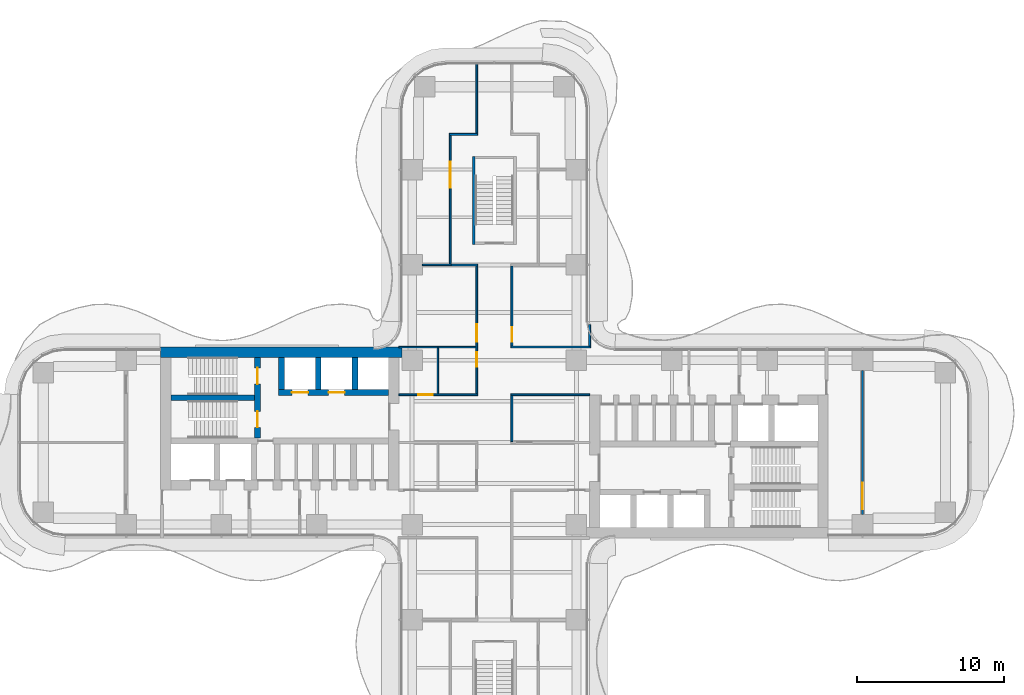
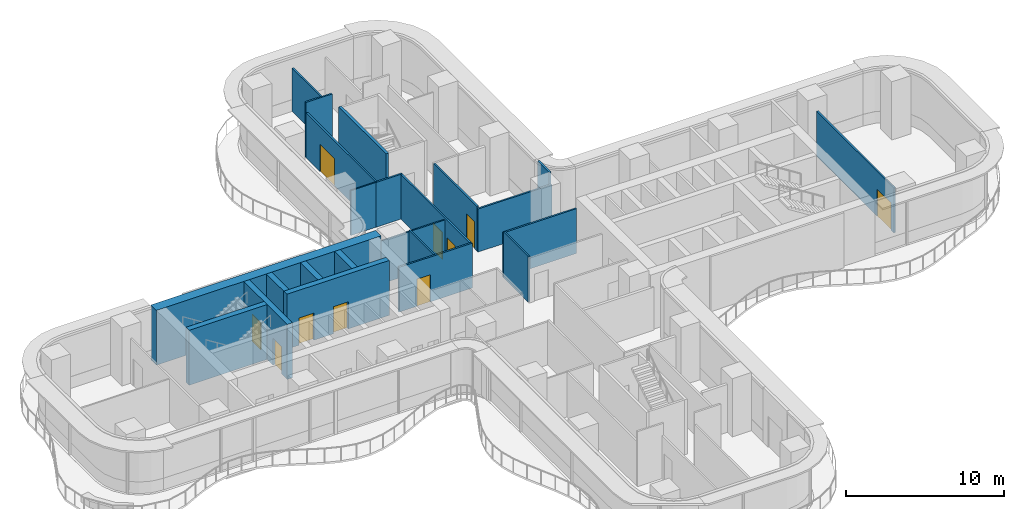
# One storey, part 19 of 23: 23 walls, 10 doors, 10 openings.
"""IFC4 building model written with IfcOpenShell, lengths in metres."""

from ifc_helpers import new_model, si_unit, direction, frame, frame_2d, origin, place, context, subcontext, project, spatial, rectangle, extrude, source, transform, mapped, material, layer, layer_set, type_object, element, fill, save


model = new_model("IFC4")

# Units and contexts
model_context = context("Model", 3, precision=1e-05, world=origin(), true_north=direction((0.0, 1.0)))
body_context = subcontext(model_context, "Body", "Model", "MODEL_VIEW")
ifc_project = project(units=[si_unit("LENGTHUNIT", "METRE"), si_unit("AREAUNIT", "SQUARE_METRE"), si_unit("VOLUMEUNIT", "CUBIC_METRE"), si_unit("PLANEANGLEUNIT", "RADIAN"), si_unit("MASSUNIT", "GRAM", prefix="KILO")], contexts=[model_context])

# Site, building, storey
site_placement = place(None, origin())
site = spatial("IfcSite", under=ifc_project, at=site_placement, CompositionType="ELEMENT")
building_placement = place(site_placement, origin())
building = spatial("IfcBuilding", under=site, at=building_placement, Name="Trellis Farm Tower", CompositionType="ELEMENT")
storey_placement = place(building_placement, frame((0.0, 0.0, 74.5)))
storey = spatial("IfcBuildingStorey", under=building, at=storey_placement, Name="L15", CompositionType="ELEMENT", Elevation=74.5)

# Walls
ifc_material_1 = material(Name="Concrete C80/95", Category="concrete")
ifc_layer_1 = layer(ifc_material_1, 0.39990234375)
ifc_layer_set_1 = layer_set([ifc_layer_1], Name="CORE INNER WALL 400 CONCRETE C80/95")
wall_type_1 = type_object("IfcWallType", Name="CORE INNER WALL 400 CONCRETE C80/95", PredefinedType="SHEAR", material=ifc_layer_set_1)
shared_shape_1 = source(origin(), body_context, "Body", "SweptSolid", [
    extrude(rectangle(XDim=2.199951171875, YDim=0.39990234375, at=frame_2d((1.10009765625, 0.0))), origin(), (0.0, 0.0, 1.0), 4.25),
])
for number, where, z_axis, x_axis, name in (
    (1, (-9.5, 5.800048828125, 0.0), (0.0, 0.0, 1.0), (0.0, -1.0, 0.0), "Core wall"),
    (2, (-12.0, 5.800048828125, 0.0), (0.0, 0.0, 1.0), (0.0, -1.0, 0.0), "Core wall"),
    (3, (-14.5, 5.800048828125, 0.0), (0.0, 0.0, 1.0), (0.0, -1.0, 0.0), "Core wall"),
):
    element("IfcWall", number, at=place(storey_placement, frame(where, z_axis=z_axis, x_axis=x_axis)), inside=storey, type_object=wall_type_1, Name=name, PredefinedType="SHEAR", context=body_context, shape_type="MappedRepresentation", body=[
        mapped(shared_shape_1, transform((0.0, 0.0, 0.0))),
    ])
ifc_layer_2 = layer(ifc_material_1, 0.699951171875)
ifc_layer_set_2 = layer_set([ifc_layer_2], Name="CORE OUTER WALL 700 CONCRETE C80/95")
wall_type_2 = type_object("IfcWallType", Name="CORE OUTER WALL 700 CONCRETE C80/95", PredefinedType="SHEAR", material=ifc_layer_set_2)
shared_shape_2 = source(origin(), body_context, "Body", "SweptSolid", [
    extrude(rectangle(XDim=16.449951171875, YDim=0.699951171875, at=frame_2d((8.22509765625, 0.0))), origin(), (0.0, 0.0, 1.0), 4.25),
])
wall_1_placement = place(storey_placement, frame((-6.300048828125, 6.14990234375, 0.0), z_axis=(0.0, 0.0, 1.0), x_axis=(-1.0, 0.0, 0.0)))
element("IfcWall", 4, at=wall_1_placement, inside=storey, type_object=wall_type_2, Name="Core wall", PredefinedType="SHEAR", context=body_context, shape_type="MappedRepresentation", body=[
    mapped(shared_shape_2, transform((0.0, 0.0, 0.0))),
])

# Wall, openings, doors
shared_shape_3 = source(origin(), body_context, "Body", "SweptSolid", [
    extrude(rectangle(XDim=7.5, YDim=0.39990234375, at=frame_2d((3.75, 0.0))), origin(), (0.0, 0.0, 1.0), 4.25),
])
wall_2_placement = place(storey_placement, frame((-7.199951171875, 3.39990234375, 0.0), z_axis=(0.0, 0.0, 1.0), x_axis=(-1.0, 0.0, 0.0)))
wall_2 = element("IfcWall", 5, at=wall_2_placement, inside=storey, type_object=wall_type_1, Name="Core wall", PredefinedType="SHEAR", context=body_context, shape_type="MappedRepresentation", body=[
    mapped(shared_shape_3, transform((0.0, 0.0, 0.0))),
])
shared_shape_4 = source(origin(), body_context, "Body", "SweptSolid", [
    extrude(rectangle(XDim=1.10009765625, YDim=2.10009765625, at=frame_2d((0.550048828125, 1.050048828125))), frame((0.0, 0.2099609375, 0.0), z_axis=(0.0, -1.0, 0.0), x_axis=(1.0, 0.0, 0.0)), (0.0, 0.0, 1.0), 0.419921875),
])
opening_1_placement = place(wall_2_placement, frame((3.0, 0.0, 0.0)))
opening_1 = element("IfcOpeningElement", 6, at=opening_1_placement, cuts=wall_2, Name="Opening LD10", PredefinedType="OPENING", context=body_context, shape_type="MappedRepresentation", body=[
    mapped(shared_shape_4, transform((0.0, 0.0, 0.0))),
])
opening_2_placement = place(wall_2_placement, frame((5.5, 0.0, 0.0)))
opening_2 = element("IfcOpeningElement", 7, at=opening_2_placement, cuts=wall_2, Name="Opening LD11", PredefinedType="OPENING", context=body_context, shape_type="MappedRepresentation", body=[
    mapped(shared_shape_4, transform((0.0, 0.0, 0.0))),
])
ifc_material_2 = material(Name="Stainless steel", Category="steel")
door_type_1 = type_object("IfcDoorType", Name="LIFT LANDING DOOR 1100 X 2100", OperationType="DOUBLE_DOOR_SLIDING", PredefinedType="DOOR", material=ifc_material_2)
shared_shape_5 = source(origin(), body_context, "Body", "SweptSolid", [
    extrude(rectangle(XDim=1.10009765625, YDim=2.10009765625, at=frame_2d((0.550048828125, 1.050048828125))), frame((0.0, 0.02490234375, 0.0), z_axis=(0.0, -1.0, 0.0), x_axis=(1.0, 0.0, 0.0)), (0.0, 0.0, 1.0), 0.050048828125),
])
door_1_placement = place(opening_1_placement, origin())
door_1 = element("IfcDoor", 8, at=door_1_placement, inside=storey, type_object=door_type_1, Name="Lift landing door", OperationType="DOUBLE_DOOR_SLIDING", OverallHeight=2.10009765625, OverallWidth=1.10009765625, PredefinedType="DOOR", context=body_context, shape_type="MappedRepresentation", body=[
    mapped(shared_shape_5, transform((0.0, 0.0, 0.0))),
])
fill(opening_1, door_1)
door_2_placement = place(opening_2_placement, origin())
door_2 = element("IfcDoor", 9, at=door_2_placement, inside=storey, type_object=door_type_1, Name="Lift landing door", OperationType="DOUBLE_DOOR_SLIDING", OverallHeight=2.10009765625, OverallWidth=1.10009765625, PredefinedType="DOOR", context=body_context, shape_type="MappedRepresentation", body=[
    mapped(shared_shape_5, transform((0.0, 0.0, 0.0))),
])
fill(opening_2, door_2)

shared_shape_6 = source(origin(), body_context, "Body", "SweptSolid", [
    extrude(rectangle(XDim=5.5, YDim=0.39990234375, at=frame_2d((2.75, 0.0))), origin(), (0.0, 0.0, 1.0), 4.25),
])
wall_3_placement = place(storey_placement, frame((-16.14990234375, 5.800048828125, 0.0), z_axis=(0.0, 0.0, 1.0), x_axis=(0.0, -1.0, 0.0)))
wall_3 = element("IfcWall", 10, at=wall_3_placement, inside=storey, type_object=wall_type_1, Name="Core wall", PredefinedType="SHEAR", context=body_context, shape_type="MappedRepresentation", body=[
    mapped(shared_shape_6, transform((0.0, 0.0, 0.0))),
])
opening_3_placement = place(wall_3_placement, frame((0.72509765625, 0.0, 0.0)))
opening_3 = element("IfcOpeningElement", 11, at=opening_3_placement, cuts=wall_3, Name="Opening DC88", PredefinedType="OPENING", context=body_context, shape_type="MappedRepresentation", body=[
    mapped(shared_shape_4, transform((0.0, 0.0, 0.0))),
])
opening_4_placement = place(wall_3_placement, frame((3.675048828125, 0.0, 0.0)))
opening_4 = element("IfcOpeningElement", 12, at=opening_4_placement, cuts=wall_3, Name="Opening DC89", PredefinedType="OPENING", context=body_context, shape_type="MappedRepresentation", body=[
    mapped(shared_shape_4, transform((0.0, 0.0, 0.0))),
])
ifc_material_3 = material(Name="Steel", Category="steel")
door_type_2 = type_object("IfcDoorType", Name="CORE FIRE DOOR 1100 X 2100", OperationType="NOTDEFINED", PredefinedType="DOOR", material=ifc_material_3)
door_3_placement = place(opening_3_placement, origin())
door_3 = element("IfcDoor", 13, at=door_3_placement, inside=storey, type_object=door_type_2, Name="Core door", OperationType="SINGLE_SWING_RIGHT", OverallHeight=2.10009765625, OverallWidth=1.10009765625, PredefinedType="DOOR", context=body_context, shape_type="MappedRepresentation", body=[
    mapped(shared_shape_5, transform((0.0, 0.0, 0.0))),
])
fill(opening_3, door_3)
door_4_placement = place(opening_4_placement, origin())
door_4 = element("IfcDoor", 14, at=door_4_placement, inside=storey, type_object=door_type_2, Name="Core door", OperationType="SINGLE_SWING_LEFT", OverallHeight=2.10009765625, OverallWidth=1.10009765625, PredefinedType="DOOR", context=body_context, shape_type="MappedRepresentation", body=[
    mapped(shared_shape_5, transform((0.0, 0.0, 0.0))),
])
fill(opening_4, door_4)

# Walls
shared_shape_7 = source(origin(), body_context, "Body", "SweptSolid", [
    extrude(rectangle(XDim=5.699951171875, YDim=0.39990234375, at=frame_2d((2.85009765625, 0.0))), origin(), (0.0, 0.0, 1.0), 4.25),
])
wall_4_placement = place(storey_placement, frame((-16.35009765625, 3.050048828125, 0.0), z_axis=(0.0, 0.0, 1.0), x_axis=(-1.0, 0.0, 0.0)))
element("IfcWall", 15, at=wall_4_placement, inside=storey, type_object=wall_type_1, Name="Core wall", PredefinedType="SHEAR", context=body_context, shape_type="MappedRepresentation", body=[
    mapped(shared_shape_7, transform((0.0, 0.0, 0.0))),
])
ifc_layer_3 = layer(ifc_material_1, 0.199951171875)
ifc_layer_set_3 = layer_set([ifc_layer_3], Name="CORE STAIR ENCLOSURE WALL 200 CONCRETE C80/95")
wall_type_3 = type_object("IfcWallType", Name="CORE STAIR ENCLOSURE WALL 200 CONCRETE C80/95", PredefinedType="SHEAR", material=ifc_layer_set_3)
shared_shape_8 = source(origin(), body_context, "Body", "SweptSolid", [
    extrude(rectangle(XDim=6.0, YDim=0.199951171875, at=frame_2d((3.0, 0.0))), origin(), (0.0, 0.0, 1.0), 4.25),
])
wall_5_placement = place(storey_placement, frame((-1.39990234375, 13.5, 0.0), z_axis=(0.0, 0.0, 1.0), x_axis=(0.0, 1.0, 0.0)))
element("IfcWall", 16, at=wall_5_placement, inside=storey, type_object=wall_type_3, Name="Stair enclosure wall", PredefinedType="SHEAR", context=body_context, shape_type="MappedRepresentation", body=[
    mapped(shared_shape_8, transform((0.0, 0.0, 0.0))),
])
ifc_material_4 = material(Name="Plasterboard on steel studs, mineral wool", Category="steel")
ifc_layer_4 = layer(ifc_material_4, 0.125)
ifc_layer_set_4 = layer_set([ifc_layer_4], Name="PARTITION 125 STUD EI 60")
wall_type_4 = type_object("IfcWallType", Name="PARTITION 125 STUD EI 60", PredefinedType="PARTITIONING", material=ifc_layer_set_4)
shared_shape_9 = source(origin(), body_context, "Body", "SweptSolid", [
    extrude(rectangle(XDim=3.125, YDim=0.125, at=frame_2d((1.5625, 0.0))), origin(), (0.0, 0.0, 1.0), 3.54638671875),
])
wall_6_placement = place(storey_placement, frame((1.199951171875, 3.1875, 0.0), z_axis=(0.0, 0.0, 1.0), x_axis=(0.0, -1.0, 0.0)))
element("IfcWall", 17, at=wall_6_placement, inside=storey, type_object=wall_type_4, Name="Partition PW1", PredefinedType="PARTITIONING", context=body_context, shape_type="MappedRepresentation", body=[
    mapped(shared_shape_9, transform((0.0, 0.0, 0.0))),
])

# Wall, opening, door
shared_shape_10 = source(origin(), body_context, "Body", "SweptSolid", [
    extrude(rectangle(XDim=5.47509765625, YDim=0.125, at=frame_2d((2.737548828125, 0.0))), origin(), (0.0, 0.0, 1.0), 3.4677734375),
])
wall_7_placement = place(storey_placement, frame((1.199951171875, 12.03759765625, 0.0), z_axis=(0.0, 0.0, 1.0), x_axis=(0.0, -1.0, 0.0)))
wall_7 = element("IfcWall", 18, at=wall_7_placement, inside=storey, type_object=wall_type_4, Name="Partition PW1", PredefinedType="PARTITIONING", context=body_context, shape_type="MappedRepresentation", body=[
    mapped(shared_shape_10, transform((0.0, 0.0, 0.0))),
])
shared_shape_11 = source(origin(), body_context, "Body", "SweptSolid", [
    extrude(rectangle(XDim=1.0, YDim=2.10009765625, at=frame_2d((0.5, 1.050048828125))), frame((0.0, 0.072509765625, 0.0), z_axis=(0.0, -1.0, 0.0), x_axis=(1.0, 0.0, 0.0)), (0.0, 0.0, 1.0), 0.14501953125),
])
opening_5_placement = place(wall_7_placement, frame((4.1875, 0.0, 0.0)))
opening_5 = element("IfcOpeningElement", 19, at=opening_5_placement, cuts=wall_7, Name="Opening D305", PredefinedType="OPENING", context=body_context, shape_type="MappedRepresentation", body=[
    mapped(shared_shape_11, transform((0.0, 0.0, 0.0))),
])
ifc_material_5 = material(Name="Fire-rated timber door leaf in a hollow metal frame", Category="wood")
door_type_3 = type_object("IfcDoorType", Name="DOOR 1000x2100 FD60", OperationType="NOTDEFINED", PredefinedType="DOOR", material=ifc_material_5)
shared_shape_12 = source(origin(), body_context, "Body", "SweptSolid", [
    extrude(rectangle(XDim=1.0, YDim=2.10009765625, at=frame_2d((0.5, 1.050048828125))), frame((0.0, 0.02490234375, 0.0), z_axis=(0.0, -1.0, 0.0), x_axis=(1.0, 0.0, 0.0)), (0.0, 0.0, 1.0), 0.050048828125),
])
door_5_placement = place(opening_5_placement, origin())
door_5 = element("IfcDoor", 20, at=door_5_placement, inside=storey, type_object=door_type_3, Name="Door D305", OperationType="SINGLE_SWING_RIGHT", OverallHeight=2.10009765625, OverallWidth=1.0, PredefinedType="DOOR", context=body_context, shape_type="MappedRepresentation", body=[
    mapped(shared_shape_12, transform((0.0, 0.0, 0.0))),
])
fill(opening_5, door_5)

# Wall
shared_shape_13 = source(origin(), body_context, "Body", "SweptSolid", [
    extrude(rectangle(XDim=1.468994140625, YDim=0.125, at=frame_2d((0.734375, 0.0))), origin(), (0.0, 0.0, 1.0), 4.25),
])
wall_8_placement = place(storey_placement, frame((6.5, 6.5625, 0.0), z_axis=(0.0, 0.0, 1.0), x_axis=(0.0, 1.0, 0.0)))
element("IfcWall", 21, at=wall_8_placement, inside=storey, type_object=wall_type_4, Name="Partition PW1", PredefinedType="PARTITIONING", context=body_context, shape_type="MappedRepresentation", body=[
    mapped(shared_shape_13, transform((0.0, 0.0, 0.0))),
])

# Wall, opening, door
shared_shape_14 = source(origin(), body_context, "Body", "SweptSolid", [
    extrude(rectangle(XDim=9.7998046875, YDim=0.125, at=frame_2d((4.89990234375, 0.0))), origin(), (0.0, 0.0, 1.0), 3.4677734375),
])
wall_9_placement = place(storey_placement, frame((25.10009765625, 4.89990234375, 0.0), z_axis=(0.0, 0.0, 1.0), x_axis=(0.0, -1.0, 0.0)))
wall_9 = element("IfcWall", 22, at=wall_9_placement, inside=storey, type_object=wall_type_4, Name="Partition PW1", PredefinedType="PARTITIONING", context=body_context, shape_type="MappedRepresentation", body=[
    mapped(shared_shape_14, transform((0.0, 0.0, 0.0))),
])
shared_shape_15 = source(origin(), body_context, "Body", "SweptSolid", [
    extrude(rectangle(XDim=1.800048828125, YDim=2.10009765625, at=frame_2d((0.89990234375, 1.050048828125))), frame((0.0, 0.072509765625, 0.0), z_axis=(0.0, -1.0, 0.0), x_axis=(1.0, 0.0, 0.0)), (0.0, 0.0, 1.0), 0.14501953125),
])
opening_6_placement = place(wall_9_placement, frame((7.64990234375, 0.0, 0.0)))
opening_6 = element("IfcOpeningElement", 23, at=opening_6_placement, cuts=wall_9, Name="Opening D201", PredefinedType="OPENING", context=body_context, shape_type="MappedRepresentation", body=[
    mapped(shared_shape_15, transform((0.0, 0.0, 0.0))),
])
door_type_4 = type_object("IfcDoorType", Name="DOOR PAIR 1800x2100 FD30S", OperationType="NOTDEFINED", PredefinedType="DOOR", material=ifc_material_5)
shared_shape_16 = source(origin(), body_context, "Body", "SweptSolid", [
    extrude(rectangle(XDim=1.800048828125, YDim=2.10009765625, at=frame_2d((0.89990234375, 1.050048828125))), frame((0.0, 0.02490234375, 0.0), z_axis=(0.0, -1.0, 0.0), x_axis=(1.0, 0.0, 0.0)), (0.0, 0.0, 1.0), 0.050048828125),
])
door_6_placement = place(opening_6_placement, origin())
door_6 = element("IfcDoor", 24, at=door_6_placement, inside=storey, type_object=door_type_4, Name="Door D201", OperationType="DOUBLE_DOOR_SINGLE_SWING", OverallHeight=2.10009765625, OverallWidth=1.800048828125, PredefinedType="DOOR", context=body_context, shape_type="MappedRepresentation", body=[
    mapped(shared_shape_16, transform((0.0, 0.0, 0.0))),
])
fill(opening_6, door_6)

# Wall
shared_shape_17 = source(origin(), body_context, "Body", "SweptSolid", [
    extrude(rectangle(XDim=1.925048828125, YDim=0.125, at=frame_2d((0.96240234375, 0.0))), origin(), (0.0, 0.0, 1.0), 3.4677734375),
])
wall_10_placement = place(storey_placement, frame((-1.137451171875, 12.10009765625, 0.0), z_axis=(0.0, 0.0, 1.0), x_axis=(-1.0, 0.0, 0.0)))
element("IfcWall", 25, at=wall_10_placement, inside=storey, type_object=wall_type_4, Name="Partition PW1", PredefinedType="PARTITIONING", context=body_context, shape_type="MappedRepresentation", body=[
    mapped(shared_shape_17, transform((0.0, 0.0, 0.0))),
])

# Wall, opening, door
shared_shape_18 = source(origin(), body_context, "Body", "SweptSolid", [
    extrude(rectangle(XDim=5.362548828125, YDim=0.125, at=frame_2d((2.68115234375, 0.0))), origin(), (0.0, 0.0, 1.0), 3.4677734375),
])
wall_11_placement = place(storey_placement, frame((-6.5, 3.25, 0.0), z_axis=(0.0, 0.0, 1.0), x_axis=(1.0, 0.0, 0.0)))
wall_11 = element("IfcWall", 26, at=wall_11_placement, inside=storey, type_object=wall_type_4, Name="Partition PW1", PredefinedType="PARTITIONING", context=body_context, shape_type="MappedRepresentation", body=[
    mapped(shared_shape_18, transform((0.0, 0.0, 0.0))),
])
opening_7_placement = place(wall_11_placement, frame((1.300048828125, 0.0, 0.0)))
opening_7 = element("IfcOpeningElement", 27, at=opening_7_placement, cuts=wall_11, Name="Opening D107", PredefinedType="OPENING", context=body_context, shape_type="MappedRepresentation", body=[
    mapped(shared_shape_11, transform((0.0, 0.0, 0.0))),
])
door_type_5 = type_object("IfcDoorType", Name="DOOR 1000x2100 FD30S", OperationType="NOTDEFINED", PredefinedType="DOOR", material=ifc_material_5)
door_7_placement = place(opening_7_placement, origin())
door_7 = element("IfcDoor", 28, at=door_7_placement, inside=storey, type_object=door_type_5, Name="Door D107", OperationType="SINGLE_SWING_RIGHT", OverallHeight=2.10009765625, OverallWidth=1.0, PredefinedType="DOOR", context=body_context, shape_type="MappedRepresentation", body=[
    mapped(shared_shape_12, transform((0.0, 0.0, 0.0))),
])
fill(opening_7, door_7)

# Walls
wall_12_placement = place(storey_placement, frame((1.137451171875, 3.25, 0.0), z_axis=(0.0, 0.0, 1.0), x_axis=(1.0, 0.0, 0.0)))
element("IfcWall", 29, at=wall_12_placement, inside=storey, type_object=wall_type_4, Name="Partition PW1", PredefinedType="PARTITIONING", context=body_context, shape_type="MappedRepresentation", body=[
    mapped(shared_shape_18, transform((0.0, 0.0, 0.0))),
])
shared_shape_19 = source(origin(), body_context, "Body", "SweptSolid", [
    extrude(rectangle(XDim=5.425048828125, YDim=0.125, at=frame_2d((2.71240234375, 0.0))), origin(), (0.0, 0.0, 1.0), 3.330078125),
])
wall_13_placement = place(storey_placement, frame((1.137451171875, 6.5, 0.0), z_axis=(0.0, 0.0, 1.0), x_axis=(1.0, 0.0, 0.0)))
element("IfcWall", 30, at=wall_13_placement, inside=storey, type_object=wall_type_4, Name="Partition PW1", PredefinedType="PARTITIONING", context=body_context, shape_type="MappedRepresentation", body=[
    mapped(shared_shape_19, transform((0.0, 0.0, 0.0))),
])

# Wall, openings, doors
shared_shape_20 = source(origin(), body_context, "Body", "SweptSolid", [
    extrude(rectangle(XDim=8.72509765625, YDim=0.125, at=frame_2d((4.362548828125, 0.0))), origin(), (0.0, 0.0, 1.0), 3.4677734375),
])
wall_14_placement = place(storey_placement, frame((-1.199951171875, 12.03759765625, 0.0), z_axis=(0.0, 0.0, 1.0), x_axis=(0.0, -1.0, 0.0)))
wall_14 = element("IfcWall", 31, at=wall_14_placement, inside=storey, type_object=wall_type_4, Name="Partition PW1", PredefinedType="PARTITIONING", context=body_context, shape_type="MappedRepresentation", body=[
    mapped(shared_shape_20, transform((0.0, 0.0, 0.0))),
])
opening_8_placement = place(wall_14_placement, frame((5.887451171875, 0.0, 0.0)))
opening_8 = element("IfcOpeningElement", 32, at=opening_8_placement, cuts=wall_14, Name="Opening D108", PredefinedType="OPENING", context=body_context, shape_type="MappedRepresentation", body=[
    mapped(shared_shape_11, transform((0.0, 0.0, 0.0))),
])
shared_shape_21 = source(origin(), body_context, "Body", "SweptSolid", [
    extrude(rectangle(XDim=1.199951171875, YDim=2.10009765625, at=frame_2d((0.60009765625, 1.050048828125))), frame((0.0, 0.072509765625, 0.0), z_axis=(0.0, -1.0, 0.0), x_axis=(1.0, 0.0, 0.0)), (0.0, 0.0, 1.0), 0.14501953125),
])
opening_9_placement = place(wall_14_placement, frame((3.987548828125, 0.0, 0.0)))
opening_9 = element("IfcOpeningElement", 33, at=opening_9_placement, cuts=wall_14, Name="Opening D603", PredefinedType="OPENING", context=body_context, shape_type="MappedRepresentation", body=[
    mapped(shared_shape_21, transform((0.0, 0.0, 0.0))),
])
door_8_placement = place(opening_8_placement, origin())
door_8 = element("IfcDoor", 34, at=door_8_placement, inside=storey, type_object=door_type_5, Name="Door D108", OperationType="SINGLE_SWING_LEFT", OverallHeight=2.10009765625, OverallWidth=1.0, PredefinedType="DOOR", context=body_context, shape_type="MappedRepresentation", body=[
    mapped(shared_shape_12, transform((0.0, 0.0, 0.0))),
])
fill(opening_8, door_8)
door_type_6 = type_object("IfcDoorType", Name="DOOR 1200x2100 FD30S", OperationType="NOTDEFINED", PredefinedType="DOOR", material=ifc_material_5)
shared_shape_22 = source(origin(), body_context, "Body", "SweptSolid", [
    extrude(rectangle(XDim=1.199951171875, YDim=2.10009765625, at=frame_2d((0.60009765625, 1.050048828125))), frame((0.0, 0.02490234375, 0.0), z_axis=(0.0, -1.0, 0.0), x_axis=(1.0, 0.0, 0.0)), (0.0, 0.0, 1.0), 0.050048828125),
])
door_9_placement = place(opening_9_placement, origin())
door_9 = element("IfcDoor", 35, at=door_9_placement, inside=storey, type_object=door_type_6, Name="Door D603", OperationType="SINGLE_SWING_RIGHT", OverallHeight=2.10009765625, OverallWidth=1.199951171875, PredefinedType="DOOR", context=body_context, shape_type="MappedRepresentation", body=[
    mapped(shared_shape_22, transform((0.0, 0.0, 0.0))),
])
fill(opening_9, door_9)

# Walls
ifc_material_6 = material(Name="Plasterboard on steel studs", Category="steel")
ifc_layer_5 = layer(ifc_material_6, 0.10009765625)
ifc_layer_set_5 = layer_set([ifc_layer_5], Name="PARTITION 100 STUD EI 30")
wall_type_5 = type_object("IfcWallType", Name="PARTITION 100 STUD EI 30", PredefinedType="PARTITIONING", material=ifc_layer_set_5)
shared_shape_23 = source(origin(), body_context, "Body", "SweptSolid", [
    extrude(rectangle(XDim=1.96240234375, YDim=0.10009765625, at=frame_2d((0.981201171875, 0.0))), origin(), (0.0, 0.0, 1.0), 3.4677734375),
])
wall_15_placement = place(storey_placement, frame((-4.89990234375, 12.10009765625, 0.0), z_axis=(0.0, 0.0, 1.0), x_axis=(1.0, 0.0, 0.0)))
element("IfcWall", 36, at=wall_15_placement, inside=storey, type_object=wall_type_5, Name="Partition PW2", PredefinedType="PARTITIONING", context=body_context, shape_type="MappedRepresentation", body=[
    mapped(shared_shape_23, transform((0.0, 0.0, 0.0))),
])
shared_shape_24 = source(origin(), body_context, "Body", "SweptSolid", [
    extrude(rectangle(XDim=1.925048828125, YDim=0.125, at=frame_2d((0.96240234375, 0.0))), origin(), (0.0, 0.0, 1.0), 4.25),
])
wall_16_placement = place(storey_placement, frame((-3.0625, 21.0, 0.0), z_axis=(0.0, 0.0, 1.0), x_axis=(1.0, 0.0, 0.0)))
element("IfcWall", 37, at=wall_16_placement, inside=storey, type_object=wall_type_4, Name="Partition PW1", PredefinedType="PARTITIONING", context=body_context, shape_type="MappedRepresentation", body=[
    mapped(shared_shape_24, transform((0.0, 0.0, 0.0))),
])
shared_shape_25 = source(origin(), body_context, "Body", "SweptSolid", [
    extrude(rectangle(XDim=5.237548828125, YDim=0.10009765625, at=frame_2d((2.61865234375, 0.0))), origin(), (0.0, 0.0, 1.0), 3.330078125),
])
wall_17_placement = place(storey_placement, frame((-6.5, 6.5, 0.0), z_axis=(0.0, 0.0, 1.0), x_axis=(1.0, 0.0, 0.0)))
element("IfcWall", 38, at=wall_17_placement, inside=storey, type_object=wall_type_5, Name="Partition PW2", PredefinedType="PARTITIONING", context=body_context, shape_type="MappedRepresentation", body=[
    mapped(shared_shape_25, transform((0.0, 0.0, 0.0))),
])

# Wall, opening, door
shared_shape_26 = source(origin(), body_context, "Body", "SweptSolid", [
    extrude(rectangle(XDim=8.78759765625, YDim=0.125, at=frame_2d((4.393798828125, 0.0))), origin(), (0.0, 0.0, 1.0), 3.4677734375),
])
wall_18_placement = place(storey_placement, frame((-3.0, 12.14990234375, 0.0), z_axis=(0.0, 0.0, 1.0), x_axis=(0.0, 1.0, 0.0)))
wall_18 = element("IfcWall", 39, at=wall_18_placement, inside=storey, type_object=wall_type_4, Name="Partition PW1", PredefinedType="PARTITIONING", context=body_context, shape_type="MappedRepresentation", body=[
    mapped(shared_shape_26, transform((0.0, 0.0, 0.0))),
])
opening_10_placement = place(wall_18_placement, frame((5.199951171875, 0.0, 0.0)))
opening_10 = element("IfcOpeningElement", 40, at=opening_10_placement, cuts=wall_18, Name="Opening D202", PredefinedType="OPENING", context=body_context, shape_type="MappedRepresentation", body=[
    mapped(shared_shape_15, transform((0.0, 0.0, 0.0))),
])
door_10_placement = place(opening_10_placement, origin())
door_10 = element("IfcDoor", 41, at=door_10_placement, inside=storey, type_object=door_type_4, Name="Door D202", OperationType="DOUBLE_DOOR_SINGLE_SWING", OverallHeight=2.10009765625, OverallWidth=1.800048828125, PredefinedType="DOOR", context=body_context, shape_type="MappedRepresentation", body=[
    mapped(shared_shape_16, transform((0.0, 0.0, 0.0))),
])
fill(opening_10, door_10)

# Walls
shared_shape_27 = source(origin(), body_context, "Body", "SweptSolid", [
    extrude(rectangle(XDim=3.137451171875, YDim=0.10009765625, at=frame_2d((1.56884765625, 0.0))), origin(), (0.0, 0.0, 1.0), 3.4677734375),
])
wall_19_placement = place(storey_placement, frame((-3.85009765625, 3.3125, 0.0), z_axis=(0.0, 0.0, 1.0), x_axis=(0.0, 1.0, 0.0)))
element("IfcWall", 42, at=wall_19_placement, inside=storey, type_object=wall_type_5, Name="Partition PW2", PredefinedType="PARTITIONING", context=body_context, shape_type="MappedRepresentation", body=[
    mapped(shared_shape_27, transform((0.0, 0.0, 0.0))),
])
shared_shape_28 = source(origin(), body_context, "Body", "SweptSolid", [
    extrude(rectangle(XDim=4.737548828125, YDim=0.125, at=frame_2d((2.36865234375, 0.0))), origin(), (0.0, 0.0, 1.0), 3.330078125),
])
wall_20_placement = place(storey_placement, frame((-1.199951171875, 25.800048828125, 0.0), z_axis=(0.0, 0.0, 1.0), x_axis=(0.0, -1.0, 0.0)))
element("IfcWall", 43, at=wall_20_placement, inside=storey, type_object=wall_type_4, Name="Partition PW1", PredefinedType="PARTITIONING", context=body_context, shape_type="MappedRepresentation", body=[
    mapped(shared_shape_28, transform((0.0, 0.0, 0.0))),
])

save(model, "model.ifc")
